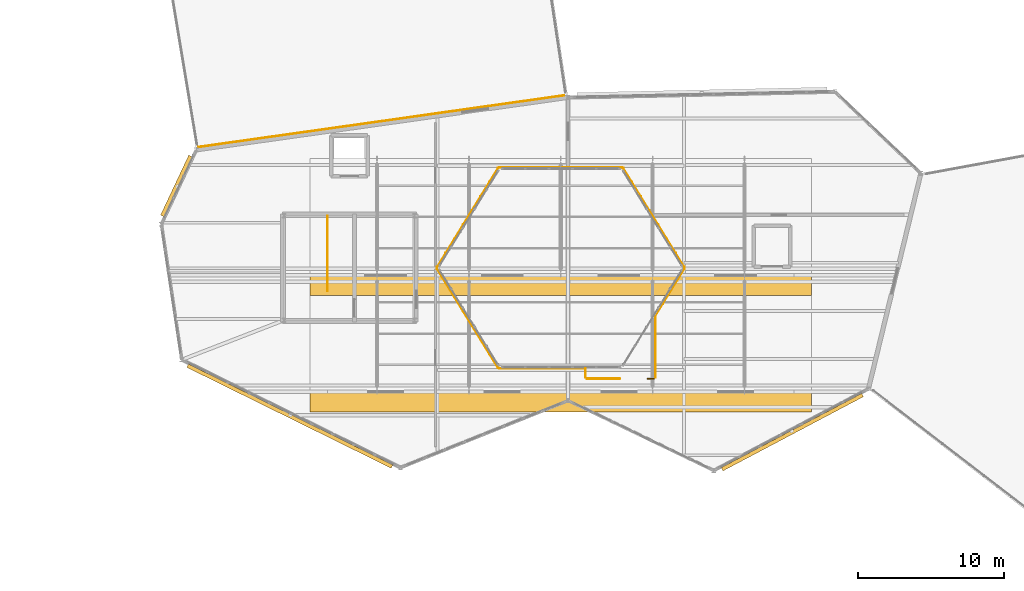
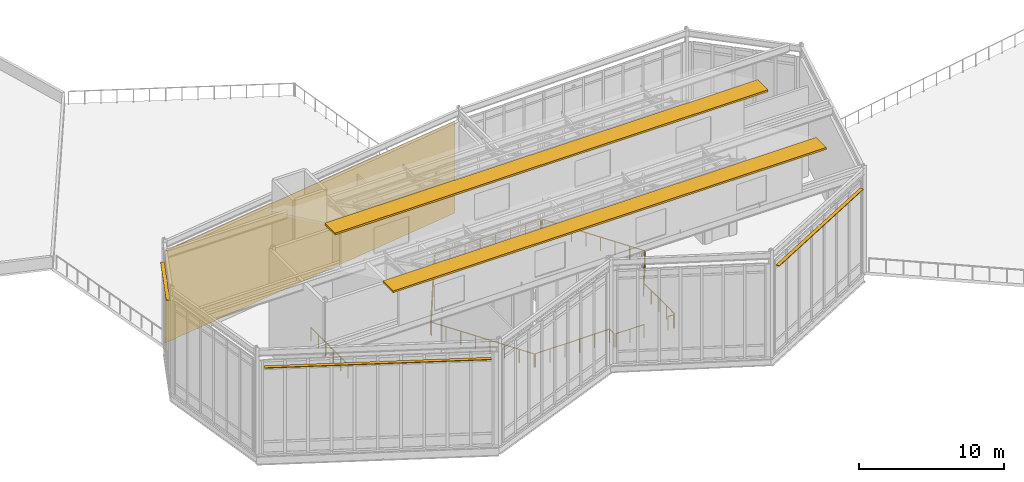
# One storey, part 64 of 66: 11 railings, 5 shading devices, 1 covering.
"""IFC4 building model written with IfcOpenShell, lengths in metres."""

from ifc_helpers import new_model, si_unit, direction, frame, frame_2d, origin, origin_2d, place, context, subcontext, project, spatial, rectangle, circle, extrude, material, layer, layer_set, type_object, element, save


model = new_model("IFC4")

# Units and contexts
model_context = context("Model", 3, precision=1e-05, world=origin(), true_north=direction((0.0, 1.0)))
body_context = subcontext(model_context, "Body", "Model", "MODEL_VIEW")
ifc_project = project(units=[si_unit("LENGTHUNIT", "METRE"), si_unit("AREAUNIT", "SQUARE_METRE"), si_unit("VOLUMEUNIT", "CUBIC_METRE"), si_unit("PLANEANGLEUNIT", "RADIAN"), si_unit("MASSUNIT", "GRAM", prefix="KILO")], contexts=[model_context])

# Site, building, storey
site_placement = place(None, origin())
site = spatial("IfcSite", under=ifc_project, at=site_placement, CompositionType="ELEMENT")
building_placement = place(site_placement, origin())
building = spatial("IfcBuilding", under=site, at=building_placement, Name="Tameran Prism Museum", CompositionType="ELEMENT")
storey_placement = place(building_placement, frame((0.0, 0.0, 19.800048828125)))
storey = spatial("IfcBuildingStorey", under=building, at=storey_placement, Name="L04", CompositionType="ELEMENT", Elevation=19.800048828125)

# Covering
ifc_material_1 = material(Name="White Fluted Mineral Precast GRC", Category="concrete")
ifc_layer_1 = layer(ifc_material_1, 0.044921875)
ifc_layer_set_1 = layer_set([ifc_layer_1])
covering_type = type_object("IfcCoveringType", Name="CV-FLUTE-WHT", PredefinedType="CLADDING", material=ifc_layer_set_1)
covering_placement = place(storey_placement, frame((52.155029296875, 44.7890625, 0.050048828125), z_axis=(0.0, 0.0, 1.0), x_axis=(0.990182515076, 0.139780495198, 0.0)))
element("IfcCovering", 1, at=covering_placement, inside=storey, type_object=covering_type, Name="Vertical Fluted White Precast Panel CL-0069", PredefinedType="CLADDING", context=body_context, shape_type="SweptSolid", body=[
    extrude(rectangle(XDim=25.332763671875, YDim=0.044921875, at=frame_2d((12.66650390625, 0.0))), origin(), (0.0, 0.0, 1.0), 7.719970703125),
])

# Railings
ifc_material_2 = material(Name="Laminated Glass and Stainless Steel 316", Category="steel")
ifc_layer_2 = layer(ifc_material_2, 0.06494140625)
ifc_layer_set_2 = layer_set([ifc_layer_2])
railing_type_1 = type_object("IfcRailingType", Name="RL-BAL-1150", PredefinedType="BALUSTRADE", material=ifc_layer_set_2)
railing_1_placement = place(storey_placement, frame((72.715087890625, 29.64697265625, 0.0)))
element("IfcRailing", 2, at=railing_1_placement, inside=storey, type_object=railing_type_1, Name="Atrium Void Balustrade BL-A032", PredefinedType="BALUSTRADE", context=body_context, shape_type="SweptSolid", body=[
    extrude(circle(Radius=0.02392578125, at=origin_2d()), frame((0.0, 0.0, 1.1259765625), z_axis=(-0.525507837885, 0.85078875893, 0.0), x_axis=(-0.85078875893, -0.525507837885, 0.0)), (0.0, 0.0, 1.0), 7.99267578125),
    extrude(circle(Radius=0.02099609375, at=origin_2d()), origin(), (0.0, 0.0, 1.0), 1.101806640625),
    extrude(circle(Radius=0.02099609375, at=origin_2d()), frame((-0.60009765625, 0.971435546875, 0.0)), (0.0, 0.0, 1.0), 1.101806640625),
    extrude(circle(Radius=0.02099609375, at=origin_2d()), frame((-1.199951171875, 1.94287109375, 0.0)), (0.0, 0.0, 1.0), 1.101806640625),
    extrude(circle(Radius=0.02099609375, at=origin_2d()), frame((-1.800048828125, 2.914306640625, 0.0)), (0.0, 0.0, 1.0), 1.101806640625),
    extrude(circle(Radius=0.02099609375, at=origin_2d()), frame((-2.400146484375, 3.8857421875, 0.0)), (0.0, 0.0, 1.0), 1.101806640625),
    extrude(circle(Radius=0.02099609375, at=origin_2d()), frame((-3.000244140625, 4.857177734375, 0.0)), (0.0, 0.0, 1.0), 1.101806640625),
    extrude(circle(Radius=0.02099609375, at=origin_2d()), frame((-3.60009765625, 5.82861328125, 0.0)), (0.0, 0.0, 1.0), 1.101806640625),
    extrude(circle(Radius=0.02099609375, at=origin_2d()), frame((-4.2001953125, 6.800048828125, 0.0)), (0.0, 0.0, 1.0), 1.101806640625),
])
railing_2_placement = place(storey_placement, frame((68.514892578125, 36.552978515625, 0.0)))
element("IfcRailing", 3, at=railing_2_placement, inside=storey, type_object=railing_type_1, Name="Atrium Void Balustrade BL-A033", PredefinedType="BALUSTRADE", context=body_context, shape_type="SweptSolid", body=[
    extrude(circle(Radius=0.02392578125, at=origin_2d()), frame((0.0, 0.0, 1.1259765625), z_axis=(0.525507837885, 0.85078875893, 0.0), x_axis=(-0.85078875893, 0.525507837885, 0.0)), (0.0, 0.0, 1.0), 7.99267578125),
    extrude(circle(Radius=0.02099609375, at=origin_2d()), origin(), (0.0, 0.0, 1.0), 1.101806640625),
    extrude(circle(Radius=0.02099609375, at=origin_2d()), frame((0.60009765625, 0.971435546875, 0.0)), (0.0, 0.0, 1.0), 1.101806640625),
    extrude(circle(Radius=0.02099609375, at=origin_2d()), frame((1.199951171875, 1.94287109375, 0.0)), (0.0, 0.0, 1.0), 1.101806640625),
    extrude(circle(Radius=0.02099609375, at=origin_2d()), frame((1.800048828125, 2.914306640625, 0.0)), (0.0, 0.0, 1.0), 1.101806640625),
    extrude(circle(Radius=0.02099609375, at=origin_2d()), frame((2.400146484375, 3.8857421875, 0.0)), (0.0, 0.0, 1.0), 1.101806640625),
    extrude(circle(Radius=0.02099609375, at=origin_2d()), frame((3.000244140625, 4.857177734375, 0.0)), (0.0, 0.0, 1.0), 1.101806640625),
    extrude(circle(Radius=0.02099609375, at=origin_2d()), frame((3.60009765625, 5.82861328125, 0.0)), (0.0, 0.0, 1.0), 1.101806640625),
    extrude(circle(Radius=0.02099609375, at=origin_2d()), frame((4.2001953125, 6.800048828125, 0.0)), (0.0, 0.0, 1.0), 1.101806640625),
])
railing_3_placement = place(storey_placement, frame((72.800048828125, 43.39990234375, 0.0)))
element("IfcRailing", 4, at=railing_3_placement, inside=storey, type_object=railing_type_1, Name="Atrium Void Balustrade BL-A034", PredefinedType="BALUSTRADE", context=body_context, shape_type="SweptSolid", body=[
    extrude(circle(Radius=0.02392578125, at=origin_2d()), frame((0.0, 0.0, 1.1259765625), z_axis=(1.0, 0.0, 0.0), x_axis=(0.0, 1.0, 0.0)), (0.0, 0.0, 1.0), 8.39990234375),
    extrude(circle(Radius=0.02099609375, at=origin_2d()), origin(), (0.0, 0.0, 1.0), 1.101806640625),
    extrude(circle(Radius=0.02099609375, at=origin_2d()), frame((1.199951171875, 0.0, 0.0)), (0.0, 0.0, 1.0), 1.101806640625),
    extrude(circle(Radius=0.02099609375, at=origin_2d()), frame((2.39990234375, 0.0, 0.0)), (0.0, 0.0, 1.0), 1.101806640625),
    extrude(circle(Radius=0.02099609375, at=origin_2d()), frame((3.599853515625, 0.0, 0.0)), (0.0, 0.0, 1.0), 1.101806640625),
    extrude(circle(Radius=0.02099609375, at=origin_2d()), frame((4.800048828125, 0.0, 0.0)), (0.0, 0.0, 1.0), 1.101806640625),
    extrude(circle(Radius=0.02099609375, at=origin_2d()), frame((6.0, 0.0, 0.0)), (0.0, 0.0, 1.0), 1.101806640625),
    extrude(circle(Radius=0.02099609375, at=origin_2d()), frame((7.199951171875, 0.0, 0.0)), (0.0, 0.0, 1.0), 1.101806640625),
    extrude(circle(Radius=0.02099609375, at=origin_2d()), frame((8.39990234375, 0.0, 0.0)), (0.0, 0.0, 1.0), 1.101806640625),
])
railing_4_placement = place(storey_placement, frame((81.284912109375, 43.35302734375, 0.0)))
element("IfcRailing", 5, at=railing_4_placement, inside=storey, type_object=railing_type_1, Name="Atrium Void Balustrade BL-A035", PredefinedType="BALUSTRADE", context=body_context, shape_type="SweptSolid", body=[
    extrude(circle(Radius=0.02392578125, at=origin_2d()), frame((0.0, 0.0, 1.1259765625), z_axis=(0.525507837885, -0.85078875893, 0.0), x_axis=(0.85078875893, 0.525507837885, 0.0)), (0.0, 0.0, 1.0), 7.99267578125),
    extrude(circle(Radius=0.02099609375, at=origin_2d()), origin(), (0.0, 0.0, 1.0), 1.101806640625),
    extrude(circle(Radius=0.02099609375, at=origin_2d()), frame((0.60009765625, -0.971435546875, 0.0)), (0.0, 0.0, 1.0), 1.101806640625),
    extrude(circle(Radius=0.02099609375, at=origin_2d()), frame((1.199951171875, -1.94287109375, 0.0)), (0.0, 0.0, 1.0), 1.101806640625),
    extrude(circle(Radius=0.02099609375, at=origin_2d()), frame((1.800048828125, -2.914306640625, 0.0)), (0.0, 0.0, 1.0), 1.101806640625),
    extrude(circle(Radius=0.02099609375, at=origin_2d()), frame((2.400146484375, -3.8857421875, 0.0)), (0.0, 0.0, 1.0), 1.101806640625),
    extrude(circle(Radius=0.02099609375, at=origin_2d()), frame((3.000244140625, -4.857177734375, 0.0)), (0.0, 0.0, 1.0), 1.101806640625),
    extrude(circle(Radius=0.02099609375, at=origin_2d()), frame((3.60009765625, -5.82861328125, 0.0)), (0.0, 0.0, 1.0), 1.101806640625),
    extrude(circle(Radius=0.02099609375, at=origin_2d()), frame((4.2001953125, -6.800048828125, 0.0)), (0.0, 0.0, 1.0), 1.101806640625),
])
railing_5_placement = place(storey_placement, frame((85.485107421875, 36.447021484375, 0.0)))
element("IfcRailing", 6, at=railing_5_placement, inside=storey, type_object=railing_type_1, Name="Atrium Void Balustrade BL-A036", PredefinedType="BALUSTRADE", context=body_context, shape_type="SweptSolid", body=[
    extrude(circle(Radius=0.02392578125, at=origin_2d()), frame((0.0, 0.0, 1.1259765625), z_axis=(-0.525593339274, -0.850735941236, 0.0), x_axis=(0.850735941236, -0.525593339274, 0.0)), (0.0, 0.0, 1.0), 3.77685546875),
    extrude(circle(Radius=0.02099609375, at=origin_2d()), origin(), (0.0, 0.0, 1.0), 1.101806640625),
    extrude(circle(Radius=0.02099609375, at=origin_2d()), frame((-0.496337890625, -0.80322265625, 0.0)), (0.0, 0.0, 1.0), 1.101806640625),
    extrude(circle(Radius=0.02099609375, at=origin_2d()), frame((-0.99267578125, -1.6064453125, 0.0)), (0.0, 0.0, 1.0), 1.101806640625),
    extrude(circle(Radius=0.02099609375, at=origin_2d()), frame((-1.48876953125, -2.409912109375, 0.0)), (0.0, 0.0, 1.0), 1.101806640625),
    extrude(circle(Radius=0.02099609375, at=origin_2d()), frame((-1.985107421875, -3.213134765625, 0.0)), (0.0, 0.0, 1.0), 1.101806640625),
])
railing_6_placement = place(storey_placement, frame((83.5, 33.23388671875, 0.0)))
element("IfcRailing", 7, at=railing_6_placement, inside=storey, type_object=railing_type_1, Name="Atrium Void Balustrade BL-A037", PredefinedType="BALUSTRADE", context=body_context, shape_type="SweptSolid", body=[
    extrude(circle(Radius=0.02392578125, at=origin_2d()), frame((0.0, 0.0, 1.1259765625), z_axis=(0.0, -1.0, 0.0), x_axis=(1.0, 0.0, 0.0)), (0.0, 0.0, 1.0), 4.23388671875),
    extrude(circle(Radius=0.02099609375, at=origin_2d()), origin(), (0.0, 0.0, 1.0), 1.101806640625),
    extrude(circle(Radius=0.02099609375, at=origin_2d()), frame((0.0, -1.05859375, 0.0)), (0.0, 0.0, 1.0), 1.101806640625),
    extrude(circle(Radius=0.02099609375, at=origin_2d()), frame((0.0, -2.116943359375, 0.0)), (0.0, 0.0, 1.0), 1.101806640625),
    extrude(circle(Radius=0.02099609375, at=origin_2d()), frame((0.0, -3.17529296875, 0.0)), (0.0, 0.0, 1.0), 1.101806640625),
    extrude(circle(Radius=0.02099609375, at=origin_2d()), frame((0.0, -4.23388671875, 0.0)), (0.0, 0.0, 1.0), 1.101806640625),
])
railing_7_placement = place(storey_placement, frame((83.39990234375, 28.89990234375, 0.0)))
element("IfcRailing", 8, at=railing_7_placement, inside=storey, type_object=railing_type_1, Name="Atrium Void Balustrade BL-A038", PredefinedType="BALUSTRADE", context=body_context, shape_type="SweptSolid", body=[
    extrude(circle(Radius=0.02392578125, at=origin_2d()), frame((0.0, 0.0, 1.1259765625), z_axis=(-1.0, 0.0, 0.0), x_axis=(0.0, -1.0, 0.0)), (0.0, 0.0, 1.0), 0.449951171875),
    extrude(circle(Radius=0.02099609375, at=origin_2d()), origin(), (0.0, 0.0, 1.0), 1.101806640625),
    extrude(circle(Radius=0.02099609375, at=origin_2d()), frame((-0.449951171875, 0.0, 0.0)), (0.0, 0.0, 1.0), 1.101806640625),
])
railing_8_placement = place(storey_placement, frame((81.050048828125, 28.89990234375, 0.0)))
element("IfcRailing", 9, at=railing_8_placement, inside=storey, type_object=railing_type_1, Name="Atrium Void Balustrade BL-A039", PredefinedType="BALUSTRADE", context=body_context, shape_type="SweptSolid", body=[
    extrude(circle(Radius=0.02392578125, at=origin_2d()), frame((0.0, 0.0, 1.1259765625), z_axis=(-1.0, 0.0, 0.0), x_axis=(0.0, -1.0, 0.0)), (0.0, 0.0, 1.0), 2.25),
    extrude(circle(Radius=0.02099609375, at=origin_2d()), origin(), (0.0, 0.0, 1.0), 1.101806640625),
    extrude(circle(Radius=0.02099609375, at=origin_2d()), frame((-1.125, 0.0, 0.0)), (0.0, 0.0, 1.0), 1.101806640625),
    extrude(circle(Radius=0.02099609375, at=origin_2d()), frame((-2.25, 0.0, 0.0)), (0.0, 0.0, 1.0), 1.101806640625),
])
railing_9_placement = place(storey_placement, frame((78.699951171875, 29.0, 0.0)))
element("IfcRailing", 10, at=railing_9_placement, inside=storey, type_object=railing_type_1, Name="Atrium Void Balustrade BL-A040", PredefinedType="BALUSTRADE", context=body_context, shape_type="SweptSolid", body=[
    extrude(circle(Radius=0.02392578125, at=origin_2d()), frame((0.0, 0.0, 1.1259765625), z_axis=(0.0, 1.0, 0.0), x_axis=(-1.0, 0.0, 0.0)), (0.0, 0.0, 1.0), 0.60009765625),
    extrude(circle(Radius=0.02099609375, at=origin_2d()), origin(), (0.0, 0.0, 1.0), 1.101806640625),
    extrude(circle(Radius=0.02099609375, at=origin_2d()), frame((0.0, 0.60009765625, 0.0)), (0.0, 0.0, 1.0), 1.101806640625),
])
railing_10_placement = place(storey_placement, frame((78.699951171875, 29.60009765625, 0.0)))
element("IfcRailing", 11, at=railing_10_placement, inside=storey, type_object=railing_type_1, Name="Atrium Void Balustrade BL-A041", PredefinedType="BALUSTRADE", context=body_context, shape_type="SweptSolid", body=[
    extrude(circle(Radius=0.02392578125, at=origin_2d()), frame((0.0, 0.0, 1.1259765625), z_axis=(-1.0, 0.0, 0.0), x_axis=(0.0, -1.0, 0.0)), (0.0, 0.0, 1.0), 5.89990234375),
    extrude(circle(Radius=0.02099609375, at=origin_2d()), origin(), (0.0, 0.0, 1.0), 1.101806640625),
    extrude(circle(Radius=0.02099609375, at=origin_2d()), frame((-1.179931640625, 0.0, 0.0)), (0.0, 0.0, 1.0), 1.101806640625),
    extrude(circle(Radius=0.02099609375, at=origin_2d()), frame((-2.35986328125, 0.0, 0.0)), (0.0, 0.0, 1.0), 1.101806640625),
    extrude(circle(Radius=0.02099609375, at=origin_2d()), frame((-3.5400390625, 0.0, 0.0)), (0.0, 0.0, 1.0), 1.101806640625),
    extrude(circle(Radius=0.02099609375, at=origin_2d()), frame((-4.719970703125, 0.0, 0.0)), (0.0, 0.0, 1.0), 1.101806640625),
    extrude(circle(Radius=0.02099609375, at=origin_2d()), frame((-5.89990234375, 0.0, 0.0)), (0.0, 0.0, 1.0), 1.101806640625),
])
ifc_material_3 = material(Name="Marine Stainless Steel 316", Category="steel")
ifc_layer_3 = layer(ifc_material_3, 0.054931640625)
ifc_layer_set_3 = layer_set([ifc_layer_3])
railing_type_2 = type_object("IfcRailingType", Name="RL-GR-1120", PredefinedType="GUARDRAIL", material=ifc_layer_set_3)
railing_11_placement = place(storey_placement, frame((61.010009765625, 34.919921875, 0.0)))
element("IfcRailing", 12, at=railing_11_placement, inside=storey, type_object=railing_type_2, Name="Stair Well Slot Guard GR-S104", PredefinedType="GUARDRAIL", context=body_context, shape_type="SweptSolid", body=[
    extrude(circle(Radius=0.02392578125, at=origin_2d()), frame((0.0, 0.0, 1.1259765625), z_axis=(0.0, 1.0, 0.0), x_axis=(-1.0, 0.0, 0.0)), (0.0, 0.0, 1.0), 5.130126953125),
    extrude(circle(Radius=0.02099609375, at=origin_2d()), origin(), (0.0, 0.0, 1.0), 1.101806640625),
    extrude(circle(Radius=0.02099609375, at=origin_2d()), frame((0.0, 1.026123046875, 0.0)), (0.0, 0.0, 1.0), 1.101806640625),
    extrude(circle(Radius=0.02099609375, at=origin_2d()), frame((0.0, 2.052001953125, 0.0)), (0.0, 0.0, 1.0), 1.101806640625),
    extrude(circle(Radius=0.02099609375, at=origin_2d()), frame((0.0, 3.078125, 0.0)), (0.0, 0.0, 1.0), 1.101806640625),
    extrude(circle(Radius=0.02099609375, at=origin_2d()), frame((0.0, 4.10400390625, 0.0)), (0.0, 0.0, 1.0), 1.101806640625),
    extrude(circle(Radius=0.02099609375, at=origin_2d()), frame((0.0, 5.130126953125, 0.0)), (0.0, 0.0, 1.0), 1.101806640625),
])

# Shading devices
ifc_material_4 = material(Name="Anodised Aluminium Alloy 6063-T6", Category="aluminium")
ifc_layer_4 = layer(ifc_material_4, 0.044921875)
ifc_layer_set_4 = layer_set([ifc_layer_4])
shading_device_type_1 = type_object("IfcShadingDeviceType", Name="SH-JAL-240", PredefinedType="JALOUSIE", material=ifc_layer_set_4)
shading_device_1_placement = place(storey_placement, frame((50.636962890625, 42.126953125, 7.33984375), z_axis=(0.0, 0.0, 1.0), x_axis=(0.425779291565, 0.904827052466, 0.0)))
element("IfcShadingDevice", 13, at=shading_device_1_placement, inside=storey, type_object=shading_device_type_1, Name="Monsoon Storm Louvre SLV-070", PredefinedType="JALOUSIE", context=body_context, shape_type="SweptSolid", body=[
    extrude(rectangle(XDim=4.535888671875, YDim=0.260009765625, at=origin_2d()), origin(), (0.0, 0.0, 1.0), 0.06005859375),
])
ifc_material_5 = material(Name="Anodised Aluminium Alloy 6063-T6", Category="aluminium")
ifc_layer_5 = layer(ifc_material_5, 0.050048828125)
ifc_layer_set_5 = layer_set([ifc_layer_5])
shading_device_type_2 = type_object("IfcShadingDeviceType", Name="SH-LOUV-300", PredefinedType="SHUTTER", material=ifc_layer_set_5)
shading_device_2_placement = place(storey_placement, frame((58.419921875, 26.339111328125, 7.33984375), z_axis=(0.0, 0.0, 1.0), x_axis=(-0.896795533934, 0.442445217305, 0.0)))
element("IfcShadingDevice", 14, at=shading_device_2_placement, inside=storey, type_object=shading_device_type_2, Name="Monsoon Storm Louvre SLV-069", PredefinedType="SHUTTER", context=body_context, shape_type="SweptSolid", body=[
    extrude(rectangle(XDim=15.6259765625, YDim=0.260009765625, at=origin_2d()), origin(), (0.0, 0.0, 1.0), 0.06005859375),
])
shading_device_3_placement = place(storey_placement, frame((92.884033203125, 25.240966796875, 7.33984375), z_axis=(0.0, 0.0, 1.0), x_axis=(-0.88417363932, -0.467158405181, 0.0)))
element("IfcShadingDevice", 15, at=shading_device_3_placement, inside=storey, type_object=shading_device_type_2, Name="Monsoon Storm Louvre SLV-071", PredefinedType="SHUTTER", context=body_context, shape_type="SweptSolid", body=[
    extrude(rectangle(XDim=10.887939453125, YDim=0.260009765625, at=origin_2d()), origin(), (0.0, 0.0, 1.0), 0.06005859375),
])
ifc_material_6 = material(Name="Anodised Aluminium Alloy 6063-T6", Category="aluminium")
ifc_layer_6 = layer(ifc_material_6, 0.159912109375)
ifc_layer_set_6 = layer_set([ifc_layer_6])
shading_device_type_3 = type_object("IfcShadingDeviceType", Name="SH-SAW-HOOD", PredefinedType="USERDEFINED", material=ifc_layer_set_6)
for number, where, z_axis, x_axis, name in (
    (16, (77.0, 27.320068359375, 12.60009765625), (0.0, 0.0, 1.0), (1.0, 0.0, 0.0), "Sawtooth Solar Hood SAW-06"),
    (17, (77.0, 35.320068359375, 12.60009765625), (0.0, 0.0, 1.0), (1.0, 0.0, 0.0), "Sawtooth Solar Hood SAW-07"),
):
    element("IfcShadingDevice", number, at=place(storey_placement, frame(where, z_axis=z_axis, x_axis=x_axis)), inside=storey, type_object=shading_device_type_3, Name=name, ObjectType="SOLAR HOOD", PredefinedType="USERDEFINED", context=body_context, shape_type="SweptSolid", body=[
        extrude(rectangle(XDim=34.39990234375, YDim=1.39990234375, at=origin_2d()), origin(), (0.0, 0.0, 1.0), 0.159912109375),
    ])

save(model, "model.ifc")
